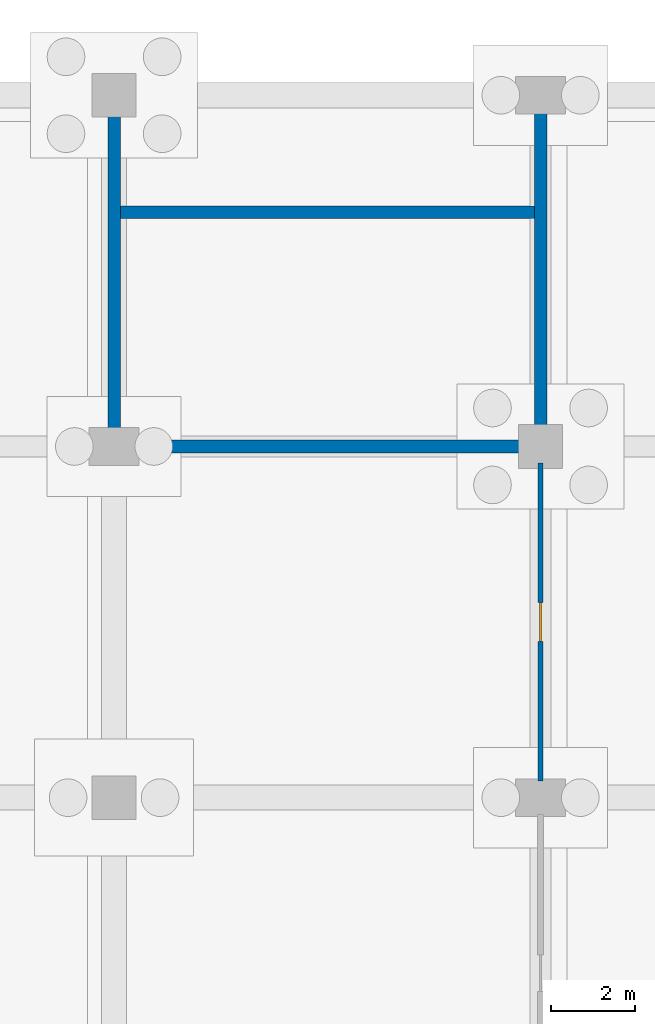
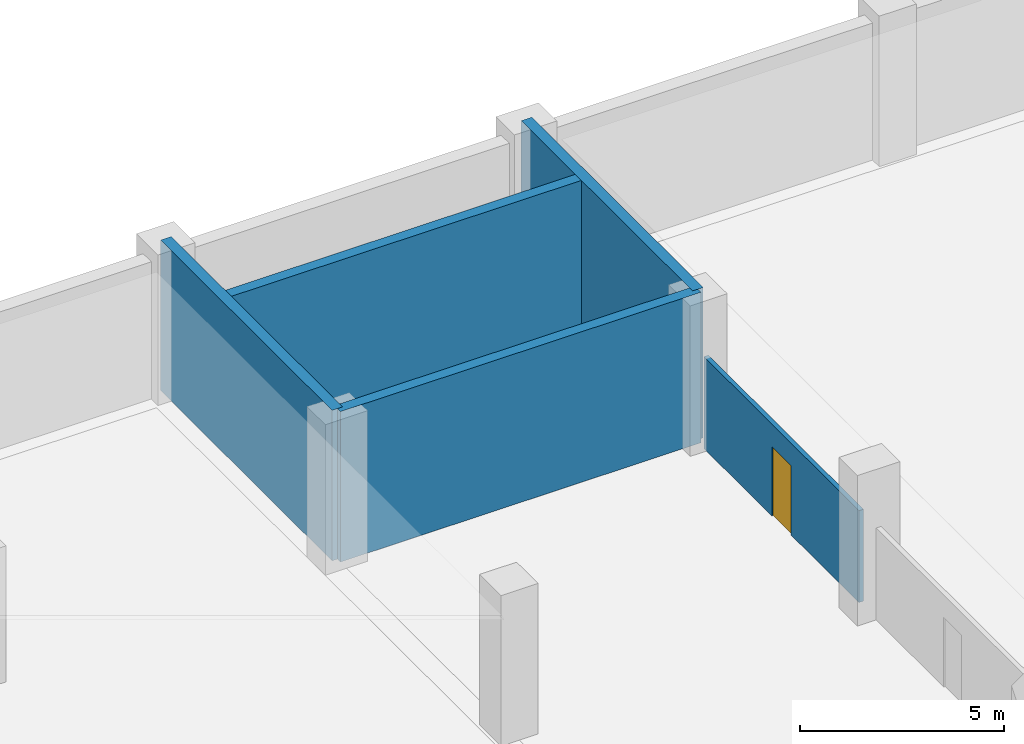
# One storey, part 44 of 52: 5 walls, 1 door, 1 opening.
"""IFC4 building model written with IfcOpenShell, lengths in metres."""

from ifc_helpers import new_model, si_unit, direction, frame, frame_2d, origin, place, context, subcontext, project, spatial, rectangle, extrude, material, layer, layer_set, type_object, element, fill, save


model = new_model("IFC4")

# Units and contexts
model_context = context("Model", 3, precision=1e-05, world=origin(), true_north=direction((0.0, 1.0)))
body_context = subcontext(model_context, "Body", "Model", "MODEL_VIEW")
ifc_project = project(units=[si_unit("LENGTHUNIT", "METRE"), si_unit("AREAUNIT", "SQUARE_METRE"), si_unit("VOLUMEUNIT", "CUBIC_METRE"), si_unit("PLANEANGLEUNIT", "RADIAN"), si_unit("MASSUNIT", "GRAM", prefix="KILO")], contexts=[model_context])

# Site, building, storey
site_placement = place(None, origin())
site = spatial("IfcSite", under=ifc_project, at=site_placement, CompositionType="ELEMENT")
building_placement = place(site_placement, origin())
building = spatial("IfcBuilding", under=site, at=building_placement, Name="Brelvane Convention Centre", CompositionType="ELEMENT")
storey_placement = place(building_placement, frame((0.0, 0.0, -4.5)))
storey = spatial("IfcBuildingStorey", under=building, at=storey_placement, Name="B1", CompositionType="ELEMENT", Elevation=-4.5)

# Wall, opening, door
ifc_material_1 = material(Name="Fire-Rated Acoustic Gypsum Partition Board Grade A")
ifc_layer_1 = layer(ifc_material_1, 0.125)
ifc_layer_set_1 = layer_set([ifc_layer_1], Name="Fire-Rated Acoustic Gypsum Partition Board Grade A")
wall_type_1 = type_object("IfcWallType", Name="Interior Wall IW-PT-125", PredefinedType="PARTITIONING", material=ifc_layer_set_1)
wall_1_placement = place(storey_placement, frame((173.39990234375, 127.60009765625, 0.0), z_axis=(0.0, 0.0, 1.0), x_axis=(0.0, 1.0, 0.0)))
wall_1 = element("IfcWall", 1, at=wall_1_placement, inside=storey, type_object=wall_type_1, Name="Interior Partition B1-SUBST2", PredefinedType="PARTITIONING", context=body_context, shape_type="SweptSolid", body=[
    extrude(rectangle(XDim=7.599853515625, YDim=0.125, at=frame_2d((3.7998046875, 0.0))), origin(), (0.0, 0.0, 1.0), 2.75),
])
opening_placement = place(wall_1_placement, frame((3.330078125, 0.0, 0.0)))
opening = element("IfcOpeningElement", 2, at=opening_placement, cuts=wall_1, Name="Opening DR-IN-11R", PredefinedType="OPENING", context=body_context, shape_type="SweptSolid", body=[
    extrude(rectangle(XDim=0.93994140625, YDim=2.080078125, at=frame_2d((0.469970703125, 1.0400390625))), frame((0.0, 0.072509765625, 0.0), z_axis=(0.0, -1.0, 0.0), x_axis=(1.0, 0.0, 0.0)), (0.0, 0.0, 1.0), 0.14501953125),
])
ifc_material_2 = material(Name="Solid-Core Fire-Rated Hardwood Leaf Grade 1", Category="wood")
door_type = type_object("IfcDoorType", Name="Interior Door DR-IN-11R", OperationType="NOTDEFINED", PredefinedType="DOOR", material=ifc_material_2)
door_placement = place(opening_placement, origin())
door = element("IfcDoor", 3, at=door_placement, inside=storey, type_object=door_type, Name="Interior Door B1-SUBST2 (DR-IN-11R)", OperationType="SINGLE_SWING_RIGHT", OverallHeight=2.080078125, OverallWidth=0.93994140625, PredefinedType="DOOR", context=body_context, shape_type="SweptSolid", body=[
    extrude(rectangle(XDim=0.93994140625, YDim=2.080078125, at=frame_2d((0.469970703125, 1.0400390625))), frame((0.0, 0.02490234375, 0.0), z_axis=(0.0, -1.0, 0.0), x_axis=(1.0, 0.0, 0.0)), (0.0, 0.0, 1.0), 0.050048828125),
])
fill(opening, door)

# Walls
ifc_material_3 = material(Name="Concrete M50", Category="concrete")
ifc_layer_2 = layer(ifc_material_3, 0.300048828125)
ifc_layer_set_2 = layer_set([ifc_layer_2], Name="Concrete M50")
wall_type_2 = type_object("IfcWallType", Name="Structural Wall WL-CORE-300", PredefinedType="SHEAR", material=ifc_layer_set_2)
wall_2_placement = place(storey_placement, frame((163.199951171875, 135.60009765625, 0.0), z_axis=(0.0, 0.0, 1.0), x_axis=(1.0, 0.0, 0.0)))
element("IfcWall", 4, at=wall_2_placement, inside=storey, type_object=wall_type_2, Name="Stair Core ST-11 Wall S (B1)", PredefinedType="SHEAR", context=body_context, shape_type="SweptSolid", body=[
    extrude(rectangle(XDim=10.199951171875, YDim=0.300048828125, at=frame_2d((5.10009765625, 0.0))), origin(), (0.0, 0.0, 1.0), 4.5),
])
for number, where, z_axis, x_axis, name in (
    (5, (163.199951171875, 135.60009765625, 0.0), (0.0, 0.0, 1.0), (0.0, 1.0, 0.0), "Stair Core ST-11 Wall W (B1)"),
    (6, (173.39990234375, 135.60009765625, 0.0), (0.0, 0.0, 1.0), (0.0, 1.0, 0.0), "Stair Core ST-11 Wall E (B1)"),
):
    element("IfcWall", number, at=place(storey_placement, frame(where, z_axis=z_axis, x_axis=x_axis)), inside=storey, type_object=wall_type_2, Name=name, PredefinedType="SHEAR", context=body_context, shape_type="SweptSolid", body=[
        extrude(rectangle(XDim=8.39990234375, YDim=0.300048828125, at=frame_2d((4.199951171875, 0.0))), origin(), (0.0, 0.0, 1.0), 4.5),
    ])
wall_3_placement = place(storey_placement, frame((163.35009765625, 141.199951171875, 0.0), z_axis=(0.0, 0.0, 1.0), x_axis=(1.0, 0.0, 0.0)))
element("IfcWall", 7, at=wall_3_placement, inside=storey, type_object=wall_type_2, Name="Stair Core ST-11 Well Wall (B1)", PredefinedType="SHEAR", context=body_context, shape_type="SweptSolid", body=[
    extrude(rectangle(XDim=9.89990234375, YDim=0.300048828125, at=frame_2d((4.949951171875, 0.0))), origin(), (0.0, 0.0, 1.0), 4.5),
])

save(model, "model.ifc")
